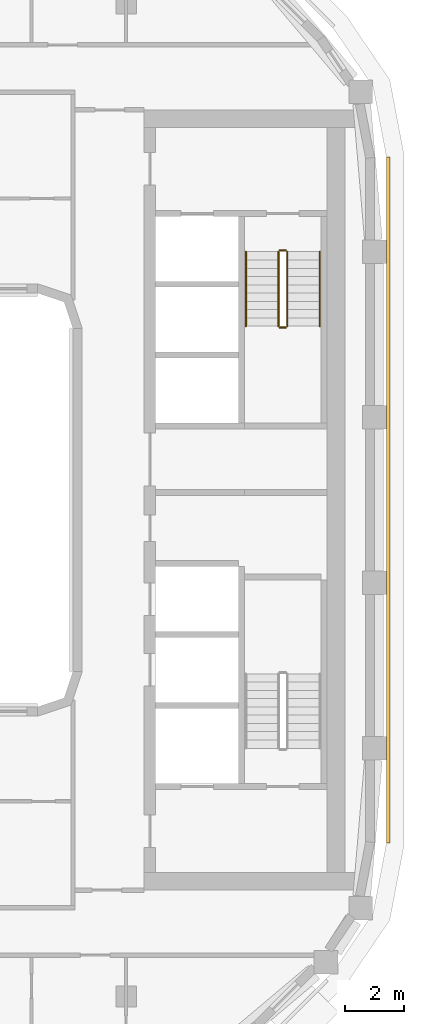
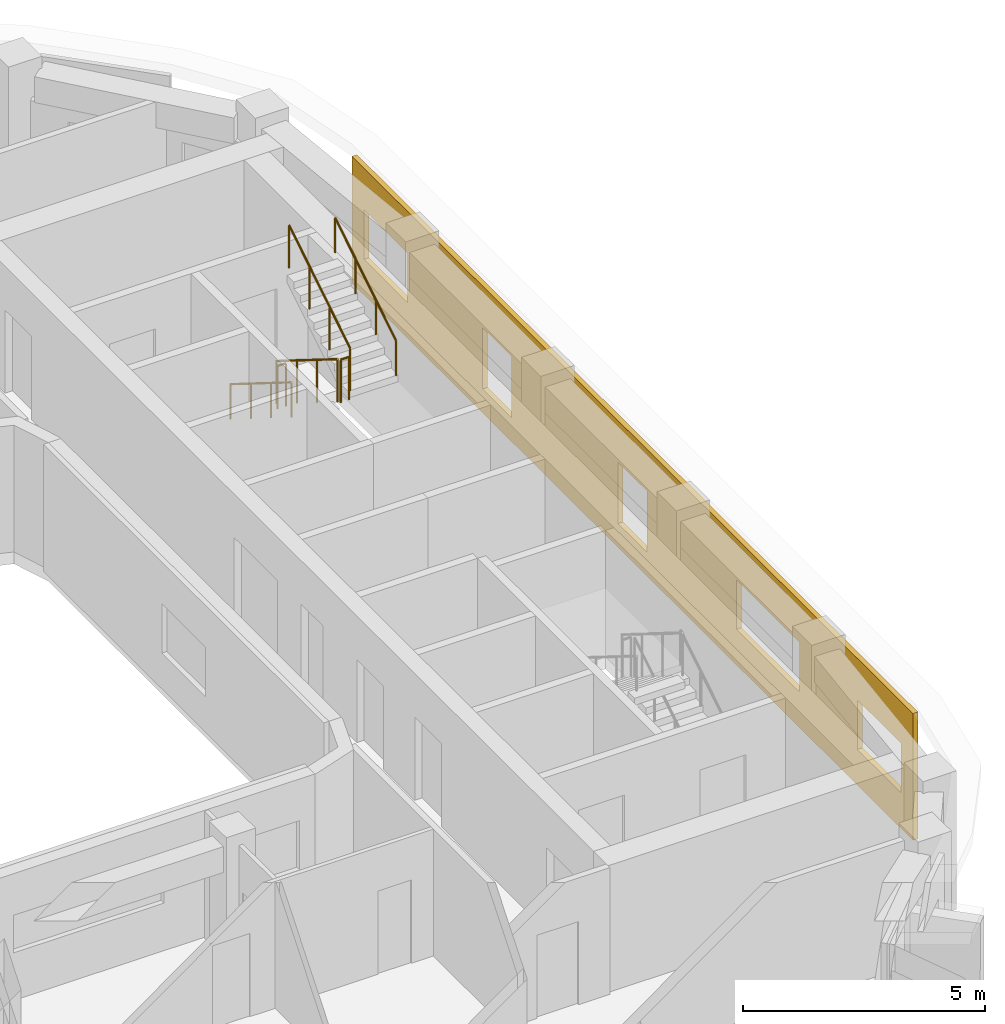
# One storey, part 15 of 16: 6 railings, 1 covering.
"""IFC4 building model written with IfcOpenShell, lengths in metres."""

from ifc_helpers import new_model, si_unit, direction, frame, origin, origin_2d, place, context, subcontext, project, spatial, polyline, circle, outline, extrude, material, layer, layer_set, type_object, element, save


model = new_model("IFC4")

# Units and contexts
model_context = context("Model", 3, precision=1e-05, world=origin(), true_north=direction((0.0, 1.0)))
body_context = subcontext(model_context, "Body", "Model", "MODEL_VIEW")
ifc_project = project(units=[si_unit("LENGTHUNIT", "METRE"), si_unit("AREAUNIT", "SQUARE_METRE"), si_unit("VOLUMEUNIT", "CUBIC_METRE"), si_unit("PLANEANGLEUNIT", "RADIAN"), si_unit("MASSUNIT", "GRAM", prefix="KILO")], contexts=[model_context])

# Site, building, storey
site_placement = place(None, origin())
site = spatial("IfcSite", under=ifc_project, at=site_placement, CompositionType="ELEMENT")
building_placement = place(site_placement, origin())
building = spatial("IfcBuilding", under=site, at=building_placement, Name="Kiln Ring Residences", CompositionType="ELEMENT")
storey_placement = place(building_placement, frame((0.0, 0.0, 245.199951171875)))
storey = spatial("IfcBuildingStorey", under=building, at=storey_placement, Name="L63", CompositionType="ELEMENT", Elevation=245.199951171875)

# Railings
ifc_material_1 = material(Name="Stainless steel", Category="steel")
railing_type_1 = type_object("IfcRailingType", Name="CORE-STAIR-GUARD", PredefinedType="GUARDRAIL", material=ifc_material_1)
railing_1_placement = place(storey_placement, frame((21.949951171875, 8.39990234375, 0.175048828125)))
element("IfcRailing", 1, at=railing_1_placement, inside=storey, type_object=railing_type_1, Name="L63 E-STN stair guard 1", PredefinedType="GUARDRAIL", context=body_context, shape_type="SweptSolid", body=[
    extrude(circle(Radius=0.02392578125, at=origin_2d()), frame((0.0, 0.0, 1.076171875), z_axis=(0.0, -0.848007534815, 0.529984170421), x_axis=(1.0, 0.0, 0.0)), (0.0, 0.0, 1.0), 2.9716796875),
    extrude(circle(Radius=0.02099609375, at=origin_2d()), origin(), (0.0, 0.0, 1.0), 1.052001953125),
    extrude(circle(Radius=0.02099609375, at=origin_2d()), frame((0.0, -0.840087890625, 0.52490234375)), (0.0, 0.0, 1.0), 1.052001953125),
    extrude(circle(Radius=0.02099609375, at=origin_2d()), frame((0.0, -1.679931640625, 1.050048828125)), (0.0, 0.0, 1.0), 1.052001953125),
    extrude(circle(Radius=0.02099609375, at=origin_2d()), frame((0.0, -2.52001953125, 1.574951171875)), (0.0, 0.0, 1.0), 1.052001953125),
])
railing_2_placement = place(storey_placement, frame((22.0, 5.830078125, 1.75)))
element("IfcRailing", 2, at=railing_2_placement, inside=storey, type_object=railing_type_1, Name="L63 E-STN stair guard 2", PredefinedType="GUARDRAIL", context=body_context, shape_type="SweptSolid", body=[
    extrude(circle(Radius=0.02392578125, at=origin_2d()), frame((0.0, 0.0, 1.076171875), z_axis=(1.0, 0.0, 0.0), x_axis=(0.0, 1.0, 0.0)), (0.0, 0.0, 1.0), 0.199951171875),
    extrude(circle(Radius=0.02099609375, at=origin_2d()), origin(), (0.0, 0.0, 1.0), 1.052001953125),
    extrude(circle(Radius=0.02099609375, at=origin_2d()), frame((0.199951171875, 0.0, 0.0)), (0.0, 0.0, 1.0), 1.052001953125),
])
railing_3_placement = place(storey_placement, frame((22.25, 5.8798828125, 1.925048828125)))
element("IfcRailing", 3, at=railing_3_placement, inside=storey, type_object=railing_type_1, Name="L63 E-STN stair guard 3", PredefinedType="GUARDRAIL", context=body_context, shape_type="SweptSolid", body=[
    extrude(circle(Radius=0.02392578125, at=origin_2d()), frame((0.0, 0.0, 1.076171875), z_axis=(0.0, 0.848007534815, 0.529984170421), x_axis=(-1.0, 0.0, 0.0)), (0.0, 0.0, 1.0), 2.9716796875),
    extrude(circle(Radius=0.02099609375, at=origin_2d()), origin(), (0.0, 0.0, 1.0), 1.052001953125),
    extrude(circle(Radius=0.02099609375, at=origin_2d()), frame((0.0, 0.840087890625, 0.52490234375)), (0.0, 0.0, 1.0), 1.052001953125),
    extrude(circle(Radius=0.02099609375, at=origin_2d()), frame((0.0, 1.679931640625, 1.050048828125)), (0.0, 0.0, 1.0), 1.052001953125),
    extrude(circle(Radius=0.02099609375, at=origin_2d()), frame((0.0, 2.52001953125, 1.574951171875)), (0.0, 0.0, 1.0), 1.052001953125),
])
railing_4_placement = place(storey_placement, frame((22.0, 8.449951171875, 0.0)))
element("IfcRailing", 4, at=railing_4_placement, inside=storey, type_object=railing_type_1, Name="L63 E-STN stair guard 4", PredefinedType="GUARDRAIL", context=body_context, shape_type="SweptSolid", body=[
    extrude(circle(Radius=0.02392578125, at=origin_2d()), frame((0.0, 0.0, 1.076171875), z_axis=(1.0, 0.0, 0.0), x_axis=(0.0, 1.0, 0.0)), (0.0, 0.0, 1.0), 0.199951171875),
    extrude(circle(Radius=0.02099609375, at=origin_2d()), origin(), (0.0, 0.0, 1.0), 1.052001953125),
    extrude(circle(Radius=0.02099609375, at=origin_2d()), frame((0.199951171875, 0.0, 0.0)), (0.0, 0.0, 1.0), 1.052001953125),
])
ifc_material_2 = material(Name="Stainless steel", Category="steel")
railing_type_2 = type_object("IfcRailingType", Name="CORE-STAIR-HANDRAIL", PredefinedType="HANDRAIL", material=ifc_material_2)
railing_5_placement = place(storey_placement, frame((20.85009765625, 8.39990234375, 0.175048828125)))
element("IfcRailing", 5, at=railing_5_placement, inside=storey, type_object=railing_type_2, Name="L63 E-STN stair handrail 1", PredefinedType="HANDRAIL", context=body_context, shape_type="SweptSolid", body=[
    extrude(circle(Radius=0.02392578125, at=origin_2d()), frame((0.0, 0.0, 0.8759765625), z_axis=(0.0, -0.848007534815, 0.529984170421), x_axis=(1.0, 0.0, 0.0)), (0.0, 0.0, 1.0), 2.9716796875),
    extrude(circle(Radius=0.02099609375, at=origin_2d()), origin(), (0.0, 0.0, 1.0), 0.851806640625),
    extrude(circle(Radius=0.02099609375, at=origin_2d()), frame((0.0, -0.840087890625, 0.52490234375)), (0.0, 0.0, 1.0), 0.851806640625),
    extrude(circle(Radius=0.02099609375, at=origin_2d()), frame((0.0, -1.679931640625, 1.050048828125)), (0.0, 0.0, 1.0), 0.851806640625),
    extrude(circle(Radius=0.02099609375, at=origin_2d()), frame((0.0, -2.52001953125, 1.574951171875)), (0.0, 0.0, 1.0), 0.851806640625),
])
railing_6_placement = place(storey_placement, frame((23.35009765625, 5.8798828125, 1.925048828125)))
element("IfcRailing", 6, at=railing_6_placement, inside=storey, type_object=railing_type_2, Name="L63 E-STN stair handrail 2", PredefinedType="HANDRAIL", context=body_context, shape_type="SweptSolid", body=[
    extrude(circle(Radius=0.02392578125, at=origin_2d()), frame((0.0, 0.0, 0.8759765625), z_axis=(0.0, 0.848007534815, 0.529984170421), x_axis=(-1.0, 0.0, 0.0)), (0.0, 0.0, 1.0), 2.9716796875),
    extrude(circle(Radius=0.02099609375, at=origin_2d()), origin(), (0.0, 0.0, 1.0), 0.851806640625),
    extrude(circle(Radius=0.02099609375, at=origin_2d()), frame((0.0, 0.840087890625, 0.52490234375)), (0.0, 0.0, 1.0), 0.851806640625),
    extrude(circle(Radius=0.02099609375, at=origin_2d()), frame((0.0, 1.679931640625, 1.050048828125)), (0.0, 0.0, 1.0), 0.851806640625),
    extrude(circle(Radius=0.02099609375, at=origin_2d()), frame((0.0, 2.52001953125, 1.574951171875)), (0.0, 0.0, 1.0), 0.851806640625),
])

# Covering
ifc_material_3 = material(Name="Brick masonry, dark clay brick", Category="masonry")
ifc_layer = layer(ifc_material_3, 0.1201171875)
ifc_layer_set = layer_set([ifc_layer], Name="RAINSCREEN PANEL 120")
covering_type = type_object("IfcCoveringType", Name="RAINSCREEN PANEL 120", PredefinedType="CLADDING", material=ifc_layer_set)
covering_placement = place(storey_placement, frame((25.659912109375, -11.60009765625, 0.0), z_axis=(0.0, 0.0, 1.0), x_axis=(0.0, 1.0, 0.0)))
element("IfcCovering", 7, at=covering_placement, inside=storey, type_object=covering_type, Name="RAINSCREEN L63", PredefinedType="CLADDING", context=body_context, shape_type="SweptSolid", body=[
    extrude(outline(polyline([(0.0, 0.0), (23.199951171875, 0.0), (23.199951171875, 3.199951171875), (0.0, 3.199951171875), (0.0, 0.0)]), holes=[polyline([(12.199951171875, 0.60009765625), (12.199951171875, 2.150146484375), (11.0, 2.150146484375), (11.0, 0.60009765625), (12.199951171875, 0.60009765625)]), polyline([(17.800048828125, 0.60009765625), (17.800048828125, 2.150146484375), (16.60009765625, 2.150146484375), (16.60009765625, 0.60009765625), (17.800048828125, 0.60009765625)]), polyline([(2.300048828125, 0.900146484375), (2.300048828125, 2.150146484375), (0.5, 2.150146484375), (0.5, 0.900146484375), (2.300048828125, 0.900146484375)]), polyline([(4.699951171875, 0.900146484375), (7.300048828125, 0.900146484375), (7.300048828125, 2.150146484375), (4.699951171875, 2.150146484375), (4.699951171875, 0.900146484375)]), polyline([(20.89990234375, 0.900146484375), (22.699951171875, 0.900146484375), (22.699951171875, 2.150146484375), (20.89990234375, 2.150146484375), (20.89990234375, 0.900146484375)])]), frame((0.0, 0.06005859375, 0.0), z_axis=(0.0, -1.0, 0.0), x_axis=(1.0, 0.0, 0.0)), (0.0, 0.0, 1.0), 0.1201171875),
])

save(model, "model.ifc")
